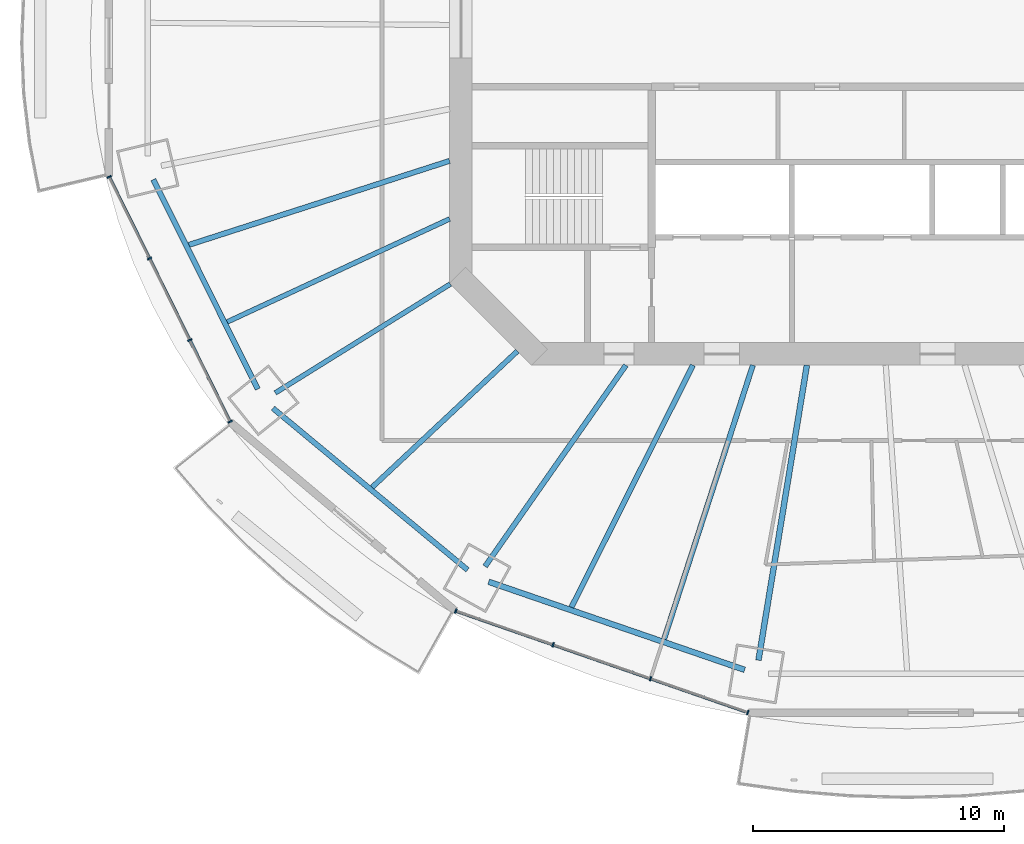
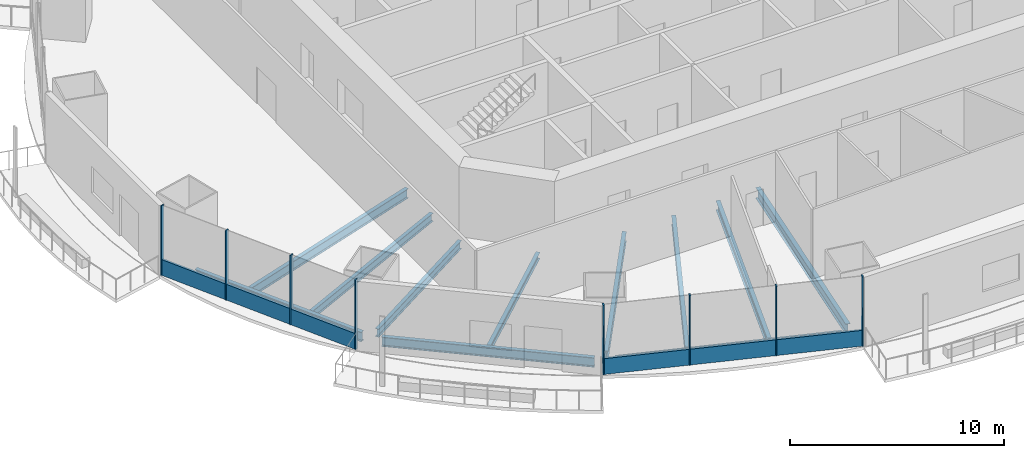
# One storey, part 2 of 20: 11 beams, 10 members, 2 elements without a shape of their own.
"""IFC4 building model written with IfcOpenShell, lengths in metres."""

from ifc_helpers import new_model, si_unit, direction, frame, origin, origin_2d, place, context, subcontext, project, spatial, rectangle, i_section, extrude, material, material_profile, profile_set, type_object, element, aggregate, save


model = new_model("IFC4")

# Units and contexts
model_context = context("Model", 3, precision=1e-05, world=origin(), true_north=direction((0.0, 1.0)))
body_context = subcontext(model_context, "Body", "Model", "MODEL_VIEW")
ifc_project = project(units=[si_unit("LENGTHUNIT", "METRE"), si_unit("AREAUNIT", "SQUARE_METRE"), si_unit("VOLUMEUNIT", "CUBIC_METRE"), si_unit("PLANEANGLEUNIT", "RADIAN"), si_unit("MASSUNIT", "GRAM", prefix="KILO")], contexts=[model_context])

# Site, building, storey
site_placement = place(None, origin())
site = spatial("IfcSite", under=ifc_project, at=site_placement, CompositionType="ELEMENT")
building_placement = place(site_placement, origin())
building = spatial("IfcBuilding", under=site, at=building_placement, Name="Marenthal Gate Tower", CompositionType="ELEMENT")
storey_placement = place(building_placement, frame((0.0, 0.0, 173.5)))
storey = spatial("IfcBuildingStorey", under=building, at=storey_placement, Name="L37", CompositionType="ELEMENT", Elevation=173.5)

# Curtain wall, members
ifc_material_1 = material(Name="Aluminium and glass", Category="aluminium")
curtain_wall_type = type_object("IfcCurtainWallType", Name="Curtain wall typical mid", PredefinedType="NOTDEFINED", material=ifc_material_1)
curtain_wall_1_placement = place(storey_placement, origin())
curtain_wall_1 = element("IfcCurtainWall", 1, at=curtain_wall_1_placement, inside=storey, type_object=curtain_wall_type, Name="Curtain wall L37 bay 9", PredefinedType="NOTDEFINED")
ifc_material_2 = material(Name="Aluminium", Category="aluminium")
ifc_material_profile_1 = material_profile(ifc_material_2, rectangle(XDim=0.179931640625, YDim=0.06005859375, at=origin_2d()), Name="60x180 aluminium mullion")
ifc_profile_set_1 = profile_set([ifc_material_profile_1], Name="Aluminium")
member_type_1 = type_object("IfcMemberType", Name="Mullion 60x180 typical mid", PredefinedType="MULLION", material=ifc_profile_set_1)
member_1_placement = place(storey_placement, frame((-30.02001953125, -5.9384765625, 0.0), z_axis=(0.0, 0.0, 1.0), x_axis=(0.89664343149, 0.442753381428, 0.0)))
member_1 = element("IfcMember", 2, at=member_1_placement, type_object=member_type_1, Name="Mullion L37 bay 9.1", PredefinedType="MULLION", context=body_context, shape_type="SweptSolid", body=[
    extrude(rectangle(XDim=0.179931640625, YDim=0.06005859375, at=origin_2d()), origin(), (0.0, 0.0, 1.0), 3.969970703125),
])
member_2_placement = place(storey_placement, frame((-28.413330078125, -9.19189453125, 0.0), z_axis=(0.0, 0.0, 1.0), x_axis=(0.89664343149, 0.442753381428, 0.0)))
member_2 = element("IfcMember", 3, at=member_2_placement, type_object=member_type_1, Name="Mullion L37 bay 9.2", PredefinedType="MULLION", context=body_context, shape_type="SweptSolid", body=[
    extrude(rectangle(XDim=0.179931640625, YDim=0.06005859375, at=origin_2d()), origin(), (0.0, 0.0, 1.0), 3.969970703125),
])
member_3_placement = place(storey_placement, frame((-26.806884765625, -12.445556640625, 0.0), z_axis=(0.0, 0.0, 1.0), x_axis=(0.89664343149, 0.442753381428, 0.0)))
member_3 = element("IfcMember", 4, at=member_3_placement, type_object=member_type_1, Name="Mullion L37 bay 9.3", PredefinedType="MULLION", context=body_context, shape_type="SweptSolid", body=[
    extrude(rectangle(XDim=0.179931640625, YDim=0.06005859375, at=origin_2d()), origin(), (0.0, 0.0, 1.0), 3.969970703125),
])
member_4_placement = place(storey_placement, frame((-25.2001953125, -15.698974609375, 0.0), z_axis=(0.0, 0.0, 1.0), x_axis=(0.89664343149, 0.442753381428, 0.0)))
member_4 = element("IfcMember", 5, at=member_4_placement, type_object=member_type_1, Name="Mullion L37 bay 9.4", PredefinedType="MULLION", context=body_context, shape_type="SweptSolid", body=[
    extrude(rectangle(XDim=0.179931640625, YDim=0.06005859375, at=origin_2d()), origin(), (0.0, 0.0, 1.0), 3.969970703125),
])

curtain_wall_2_placement = place(storey_placement, origin())
curtain_wall_2 = element("IfcCurtainWall", 6, at=curtain_wall_2_placement, inside=storey, type_object=curtain_wall_type, Name="Curtain wall L37 bay 11", PredefinedType="NOTDEFINED")
member_5_placement = place(storey_placement, frame((-16.203857421875, -23.24755859375, 0.0), z_axis=(0.0, 0.0, 1.0), x_axis=(0.32821091538, 0.944604464856, 0.0)))
member_5 = element("IfcMember", 7, at=member_5_placement, type_object=member_type_1, Name="Mullion L37 bay 11.1", PredefinedType="MULLION", context=body_context, shape_type="SweptSolid", body=[
    extrude(rectangle(XDim=0.179931640625, YDim=0.06005859375, at=origin_2d()), origin(), (0.0, 0.0, 1.0), 3.969970703125),
])
member_6_placement = place(storey_placement, frame((-12.32275390625, -24.595947265625, 0.0), z_axis=(0.0, 0.0, 1.0), x_axis=(0.32821091538, 0.944604464856, 0.0)))
member_6 = element("IfcMember", 8, at=member_6_placement, type_object=member_type_1, Name="Mullion L37 bay 11.2", PredefinedType="MULLION", context=body_context, shape_type="SweptSolid", body=[
    extrude(rectangle(XDim=0.179931640625, YDim=0.06005859375, at=origin_2d()), origin(), (0.0, 0.0, 1.0), 3.969970703125),
])
member_7_placement = place(storey_placement, frame((-8.44140625, -25.944580078125, 0.0), z_axis=(0.0, 0.0, 1.0), x_axis=(0.32821091538, 0.944604464856, 0.0)))
member_7 = element("IfcMember", 9, at=member_7_placement, type_object=member_type_1, Name="Mullion L37 bay 11.3", PredefinedType="MULLION", context=body_context, shape_type="SweptSolid", body=[
    extrude(rectangle(XDim=0.179931640625, YDim=0.06005859375, at=origin_2d()), origin(), (0.0, 0.0, 1.0), 3.969970703125),
])
member_8_placement = place(storey_placement, frame((-4.560302734375, -27.29296875, 0.0), z_axis=(0.0, 0.0, 1.0), x_axis=(0.32821091538, 0.944604464856, 0.0)))
member_8 = element("IfcMember", 10, at=member_8_placement, type_object=member_type_1, Name="Mullion L37 bay 11.4", PredefinedType="MULLION", context=body_context, shape_type="SweptSolid", body=[
    extrude(rectangle(XDim=0.179931640625, YDim=0.06005859375, at=origin_2d()), origin(), (0.0, 0.0, 1.0), 3.969970703125),
])

# Member
ifc_material_3 = material(Name="Aluminium", Category="aluminium")
ifc_material_profile_2 = material_profile(ifc_material_3, rectangle(XDim=0.1201171875, YDim=0.89990234375, at=origin_2d()), Name="120x900 aluminium transom")
ifc_profile_set_2 = profile_set([ifc_material_profile_2], Name="Aluminium")
member_type_2 = type_object("IfcMemberType", Name="Transom 120x900 typical mid", PredefinedType="USERDEFINED", material=ifc_profile_set_2)
member_9_placement = place(storey_placement, frame((-30.0068359375, -5.96533203125, 0.449951171875), z_axis=(0.442760838876, -0.896639749039, 0.0), x_axis=(0.896639749039, 0.442760838876, 0.0)))
member_9 = element("IfcMember", 11, at=member_9_placement, type_object=member_type_2, Name="Transom L37 bay 9", ObjectType="TRANSOM", PredefinedType="USERDEFINED", context=body_context, shape_type="SweptSolid", body=[
    extrude(rectangle(XDim=0.1201171875, YDim=0.89990234375, at=origin_2d()), origin(), (0.0, 0.0, 1.0), 10.82568359375),
])

aggregate(curtain_wall_1, [member_1, member_2, member_3, member_4, member_9])

member_10_placement = place(storey_placement, frame((-16.175537109375, -23.25732421875, 0.449951171875), z_axis=(0.944606832313, -0.328204101661, 0.0), x_axis=(0.328204101661, 0.944606832313, 0.0)))
member_10 = element("IfcMember", 12, at=member_10_placement, type_object=member_type_2, Name="Transom L37 bay 11", ObjectType="TRANSOM", PredefinedType="USERDEFINED", context=body_context, shape_type="SweptSolid", body=[
    extrude(rectangle(XDim=0.1201171875, YDim=0.89990234375, at=origin_2d()), origin(), (0.0, 0.0, 1.0), 12.266357421875),
])

aggregate(curtain_wall_2, [member_5, member_6, member_7, member_8, member_10])

# Beams
ifc_material_4 = material(Name="Steel S355", Category="steel")
ifc_material_profile_3 = material_profile(ifc_material_4, i_section(OverallWidth=0.205078125, OverallDepth=0.35302734375, WebThickness=0.009521484375, FlangeThickness=0.016845703125, FilletRadius=0.014892578125, at=origin_2d()), Name="W360X79")
ifc_profile_set_3 = profile_set([ifc_material_profile_3], Name="Steel S355")
beam_type_1 = type_object("IfcBeamType", Name="W360X79 beam", PredefinedType="BEAM", material=ifc_profile_set_3)
beam_1_placement = place(storey_placement, frame((-19.535888671875, -18.31298828125, -0.3564453125), z_axis=(0.729574634834, 0.683901200618, 0.0), x_axis=(-0.683901200618, 0.729574634834, 0.0)))
element("IfcBeam", 13, at=beam_1_placement, inside=storey, type_object=beam_type_1, Name="BM-L37-31", PredefinedType="BEAM", context=body_context, shape_type="SweptSolid", body=[
    extrude(i_section(OverallWidth=0.205078125, OverallDepth=0.35302734375, WebThickness=0.009521484375, FlangeThickness=0.016845703125, FilletRadius=0.014892578125, at=origin_2d()), origin(), (0.0, 0.0, 1.0), 7.9326171875),
])
ifc_material_5 = material(Name="Steel S355", Category="steel")
ifc_material_profile_4 = material_profile(ifc_material_5, i_section(OverallWidth=0.193115234375, OverallDepth=0.467041015625, WebThickness=0.011474609375, FlangeThickness=0.01904296875, FilletRadius=0.010009765625, at=origin_2d()), Name="W460X97")
ifc_profile_set_4 = profile_set([ifc_material_profile_4], Name="Steel S355")
beam_type_2 = type_object("IfcBeamType", Name="W460X97 beam", PredefinedType="BEAM", material=ifc_profile_set_4)
beam_2_placement = place(storey_placement, frame((-23.399658203125, -14.5537109375, -0.41357421875), z_axis=(0.849156399263, 0.528141467403, 0.0), x_axis=(-0.528141467403, 0.849156399263, 0.0)))
element("IfcBeam", 14, at=beam_2_placement, inside=storey, type_object=beam_type_2, Name="BM-L37-10", PredefinedType="BEAM", context=body_context, shape_type="SweptSolid", body=[
    extrude(i_section(OverallWidth=0.193115234375, OverallDepth=0.467041015625, WebThickness=0.011474609375, FlangeThickness=0.01904296875, FilletRadius=0.010009765625, at=origin_2d()), origin(), (0.0, 0.0, 1.0), 8.216796875),
])
beam_3_placement = place(storey_placement, frame((-25.31396484375, -11.721923828125, -0.41357421875), z_axis=(0.907436377592, 0.420189505607, 0.0), x_axis=(-0.420189505607, 0.907436377592, 0.0)))
element("IfcBeam", 15, at=beam_3_placement, inside=storey, type_object=beam_type_2, Name="BM-L37-30", PredefinedType="BEAM", context=body_context, shape_type="SweptSolid", body=[
    extrude(i_section(OverallWidth=0.193115234375, OverallDepth=0.467041015625, WebThickness=0.011474609375, FlangeThickness=0.01904296875, FilletRadius=0.010009765625, at=origin_2d()), origin(), (0.0, 0.0, 1.0), 9.768310546875),
])
ifc_material_6 = material(Name="Steel S355", Category="steel")
ifc_material_profile_5 = material_profile(ifc_material_6, i_section(OverallWidth=0.2099609375, OverallDepth=0.535888671875, WebThickness=0.010986328125, FlangeThickness=0.017333984375, FilletRadius=0.0126953125, at=origin_2d()), Name="W530X101")
ifc_profile_set_5 = profile_set([ifc_material_profile_5], Name="Steel S355")
beam_type_3 = type_object("IfcBeamType", Name="W530X101 beam", PredefinedType="BEAM", material=ifc_profile_set_5)
beam_4_placement = place(storey_placement, frame((-15.035400390625, -21.46875, -0.447998046875), z_axis=(0.573638073102, 0.819108882316, 0.0), x_axis=(-0.819108882316, 0.573638073102, 0.0)))
element("IfcBeam", 16, at=beam_4_placement, inside=storey, type_object=beam_type_3, Name="BM-L37-11", PredefinedType="BEAM", context=body_context, shape_type="SweptSolid", body=[
    extrude(i_section(OverallWidth=0.2099609375, OverallDepth=0.535888671875, WebThickness=0.010986328125, FlangeThickness=0.017333984375, FilletRadius=0.0126953125, at=origin_2d()), origin(), (0.0, 0.0, 1.0), 9.78955078125),
])
beam_5_placement = place(storey_placement, frame((-26.8447265625, -8.652099609375, -0.447998046875), z_axis=(0.95178380621, 0.306769597966, 0.0), x_axis=(-0.306769597966, 0.95178380621, 0.0)))
element("IfcBeam", 17, at=beam_5_placement, inside=storey, type_object=beam_type_3, Name="BM-L37-29", PredefinedType="BEAM", context=body_context, shape_type="SweptSolid", body=[
    extrude(i_section(OverallWidth=0.2099609375, OverallDepth=0.535888671875, WebThickness=0.010986328125, FlangeThickness=0.017333984375, FilletRadius=0.0126953125, at=origin_2d()), origin(), (0.0, 0.0, 1.0), 10.92138671875),
])
beam_6_placement = place(storey_placement, frame((-11.59228515625, -23.09716796875, -0.447998046875), z_axis=(0.448561123223, 0.89375215733, 0.0), x_axis=(-0.89375215733, 0.448561123223, 0.0)))
element("IfcBeam", 18, at=beam_6_placement, inside=storey, type_object=beam_type_3, Name="BM-L37-32", PredefinedType="BEAM", context=body_context, shape_type="SweptSolid", body=[
    extrude(i_section(OverallWidth=0.2099609375, OverallDepth=0.535888671875, WebThickness=0.010986328125, FlangeThickness=0.017333984375, FilletRadius=0.0126953125, at=origin_2d()), origin(), (0.0, 0.0, 1.0), 10.7939453125),
])
beam_7_placement = place(storey_placement, frame((-7.898681640625, -24.367919921875, -0.447998046875), z_axis=(0.308354878304, 0.951271396094, 0.0), x_axis=(-0.951271396094, 0.308354878304, 0.0)))
element("IfcBeam", 19, at=beam_7_placement, inside=storey, type_object=beam_type_3, Name="BM-L37-33", PredefinedType="BEAM", context=body_context, shape_type="SweptSolid", body=[
    extrude(i_section(OverallWidth=0.2099609375, OverallDepth=0.535888671875, WebThickness=0.010986328125, FlangeThickness=0.017333984375, FilletRadius=0.0126953125, at=origin_2d()), origin(), (0.0, 0.0, 1.0), 11.477294921875),
])
ifc_material_7 = material(Name="Steel S355", Category="steel")
ifc_material_profile_6 = material_profile(ifc_material_7, i_section(OverallWidth=0.2119140625, OverallDepth=0.5439453125, WebThickness=0.01318359375, FlangeThickness=0.021240234375, FilletRadius=0.0126953125, at=origin_2d()), Name="W530X123")
ifc_profile_set_6 = profile_set([ifc_material_profile_6], Name="Steel S355")
beam_type_4 = type_object("IfcBeamType", Name="W530X123 beam", PredefinedType="BEAM", material=ifc_profile_set_6)
beam_8_placement = place(storey_placement, frame((-28.26025390625, -6.051513671875, -0.451904296875), z_axis=(0.446271515311, -0.894897611251, 0.0), x_axis=(0.894897611251, 0.446271515311, 0.0)))
element("IfcBeam", 20, at=beam_8_placement, inside=storey, type_object=beam_type_4, Name="BM-L37-49", PredefinedType="BEAM", context=body_context, shape_type="SweptSolid", body=[
    extrude(i_section(OverallWidth=0.2119140625, OverallDepth=0.5439453125, WebThickness=0.01318359375, FlangeThickness=0.021240234375, FilletRadius=0.0126953125, at=origin_2d()), origin(), (0.0, 0.0, 1.0), 9.331787109375),
])
beam_9_placement = place(storey_placement, frame((-23.49267578125, -15.164306640625, -0.451904296875), z_axis=(0.769263759488, -0.638931348689, 0.0), x_axis=(0.638931348689, 0.769263759488, 0.0)))
element("IfcBeam", 21, at=beam_9_placement, inside=storey, type_object=beam_type_4, Name="BM-L37-50", PredefinedType="BEAM", context=body_context, shape_type="SweptSolid", body=[
    extrude(i_section(OverallWidth=0.2119140625, OverallDepth=0.5439453125, WebThickness=0.01318359375, FlangeThickness=0.021240234375, FilletRadius=0.0126953125, at=origin_2d()), origin(), (0.0, 0.0, 1.0), 10.087158203125),
])
ifc_material_8 = material(Name="Steel S355", Category="steel")
ifc_material_profile_7 = material_profile(ifc_material_8, i_section(OverallWidth=0.22900390625, OverallDepth=0.612060546875, WebThickness=0.011962890625, FlangeThickness=0.01953125, FilletRadius=0.0126953125, at=origin_2d()), Name="W610X125")
ifc_profile_set_7 = profile_set([ifc_material_profile_7], Name="Steel S355")
beam_type_5 = type_object("IfcBeamType", Name="W610X125 beam", PredefinedType="BEAM", material=ifc_profile_set_7)
beam_10_placement = place(storey_placement, frame((-4.134765625, -25.21044921875, -0.486083984375), z_axis=(0.161857113859, 0.986814204748, 0.0), x_axis=(-0.986814204748, 0.161857113859, 0.0)))
element("IfcBeam", 22, at=beam_10_placement, inside=storey, type_object=beam_type_5, Name="BM-L37-12", PredefinedType="BEAM", context=body_context, shape_type="SweptSolid", body=[
    extrude(i_section(OverallWidth=0.22900390625, OverallDepth=0.612060546875, WebThickness=0.011962890625, FlangeThickness=0.01953125, FilletRadius=0.0126953125, at=origin_2d()), origin(), (0.0, 0.0, 1.0), 11.917724609375),
])
beam_11_placement = place(storey_placement, frame((-14.890869140625, -22.083251953125, -0.486083984375), z_axis=(0.945598979252, -0.325334551559, 0.0), x_axis=(0.325334551559, 0.945598979252, 0.0)))
element("IfcBeam", 23, at=beam_11_placement, inside=storey, type_object=beam_type_5, Name="BM-L37-51", PredefinedType="BEAM", context=body_context, shape_type="SweptSolid", body=[
    extrude(i_section(OverallWidth=0.22900390625, OverallDepth=0.612060546875, WebThickness=0.011962890625, FlangeThickness=0.01953125, FilletRadius=0.0126953125, at=origin_2d()), origin(), (0.0, 0.0, 1.0), 10.7919921875),
])

save(model, "model.ifc")
